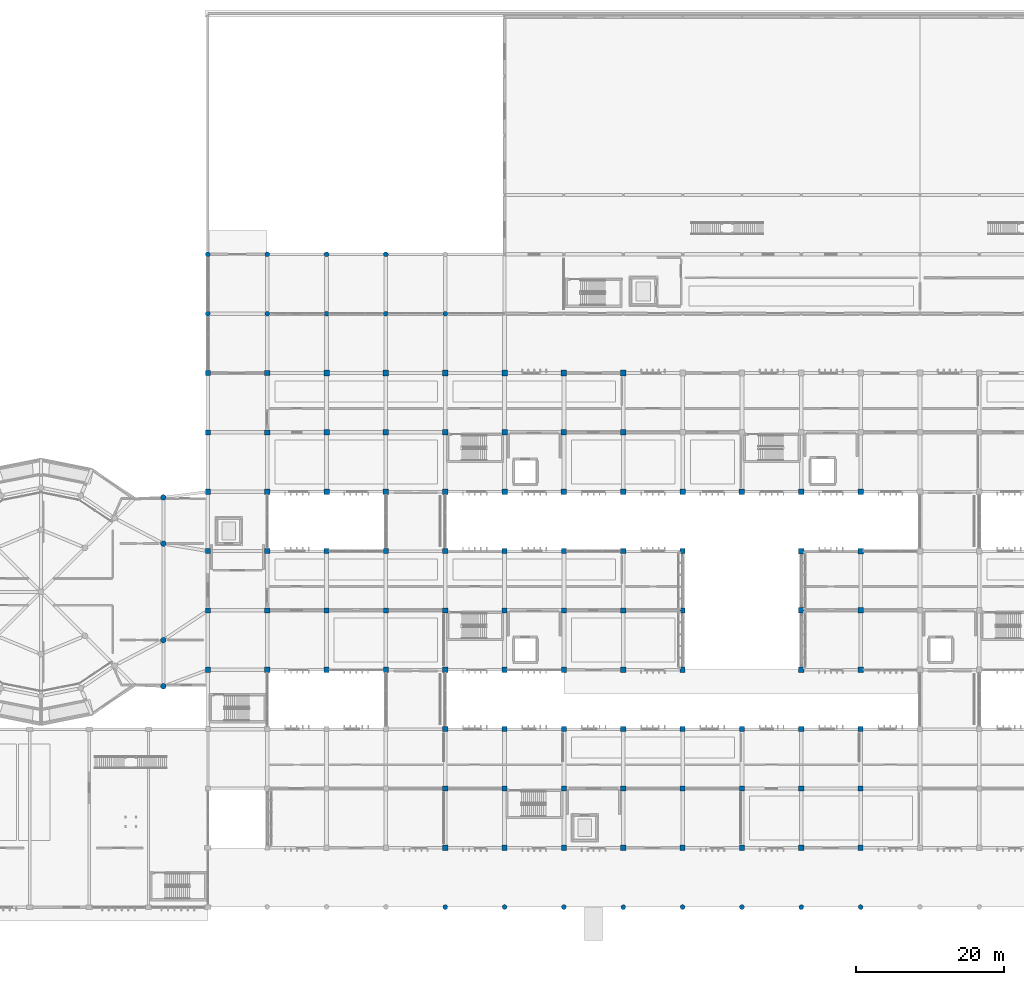
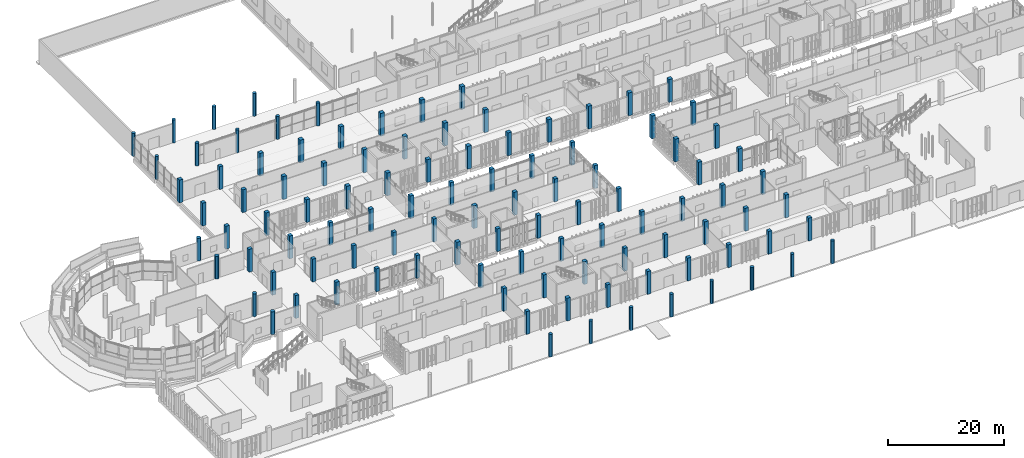
# One storey, part 6 of 117: 106 columns.
"""IFC4 building model written with IfcOpenShell, lengths in metres."""

from ifc_helpers import new_model, si_unit, direction, frame, origin, origin_2d, place, context, subcontext, project, spatial, rectangle, circle, extrude, material, material_profile, profile_set, type_object, element, save


model = new_model("IFC4")

# Units and contexts
model_context = context("Model", 3, precision=1e-05, world=origin(), true_north=direction((0.0, 1.0)))
body_context = subcontext(model_context, "Body", "Model", "MODEL_VIEW")
ifc_project = project(units=[si_unit("LENGTHUNIT", "METRE"), si_unit("AREAUNIT", "SQUARE_METRE"), si_unit("VOLUMEUNIT", "CUBIC_METRE"), si_unit("PLANEANGLEUNIT", "RADIAN"), si_unit("MASSUNIT", "GRAM", prefix="KILO")], contexts=[model_context])

# Site, building, storey
site_placement = place(None, origin())
site = spatial("IfcSite", under=ifc_project, at=site_placement, CompositionType="ELEMENT")
building_placement = place(site_placement, origin())
building = spatial("IfcBuilding", under=site, at=building_placement, Name="Jelvoka-Kovrelna Polytechnic", CompositionType="ELEMENT")
storey_placement = place(building_placement, origin())
storey = spatial("IfcBuildingStorey", under=building, at=storey_placement, Name="L01", CompositionType="ELEMENT", Elevation=0.0)

# Columns
ifc_material_1 = material(Name="Concrete C40/50", Category="concrete")
ifc_material_profile_1 = material_profile(ifc_material_1, circle(Radius=0.324951171875, at=origin_2d()), Name="RC D650")
ifc_profile_set_1 = profile_set([ifc_material_profile_1], Name="Concrete C40/50")
column_type_1 = type_object("IfcColumnType", Name="Col_Pilotis_D650", PredefinedType="PILASTER", material=ifc_profile_set_1)
for number, where, z_axis, x_axis, name in (
    (1, (80.0, 0.0, 0.0), (0.0, 0.0, 1.0), (1.0, 0.0, 0.0), "L01 column 0031"),
    (2, (88.0, 0.0, 0.0), (0.0, 0.0, 1.0), (1.0, 0.0, 0.0), "L01 column 0034"),
    (3, (96.0, 0.0, 0.0), (0.0, 0.0, 1.0), (1.0, 0.0, 0.0), "L01 column 0037"),
    (4, (104.0, 0.0, 0.0), (0.0, 0.0, 1.0), (1.0, 0.0, 0.0), "L01 column 0040"),
    (5, (112.0, 0.0, 0.0), (0.0, 0.0, 1.0), (1.0, 0.0, 0.0), "L01 column 0043"),
    (6, (120.0, 0.0, 0.0), (0.0, 0.0, 1.0), (1.0, 0.0, 0.0), "L01 column 0046"),
    (7, (128.0, 0.0, 0.0), (0.0, 0.0, 1.0), (1.0, 0.0, 0.0), "L01 column 0049"),
    (8, (136.0, 0.0, 0.0), (0.0, 0.0, 1.0), (1.0, 0.0, 0.0), "L01 column 0052"),
    (9, (48.0, 80.0, 0.0), (0.0, 0.0, 1.0), (1.0, 0.0, 0.0), "L01 column 1462"),
    (10, (56.0, 80.0, 0.0), (0.0, 0.0, 1.0), (1.0, 0.0, 0.0), "L01 column 1465"),
    (11, (64.0, 80.0, 0.0), (0.0, 0.0, 1.0), (1.0, 0.0, 0.0), "L01 column 1468"),
    (12, (72.0, 80.0, 0.0), (0.0, 0.0, 1.0), (1.0, 0.0, 0.0), "L01 column 1471"),
    (13, (80.0, 80.0, 0.0), (0.0, 0.0, 1.0), (1.0, 0.0, 0.0), "L01 column 1474"),
    (14, (48.0, 88.0, 0.0), (0.0, 0.0, 1.0), (1.0, 0.0, 0.0), "L01 column 1522"),
    (15, (56.0, 88.0, 0.0), (0.0, 0.0, 1.0), (1.0, 0.0, 0.0), "L01 column 1524"),
    (16, (64.0, 88.0, 0.0), (0.0, 0.0, 1.0), (1.0, 0.0, 0.0), "L01 column 1526"),
    (17, (72.0, 88.0, 0.0), (0.0, 0.0, 1.0), (1.0, 0.0, 0.0), "L01 column 1528"),
):
    element("IfcColumn", number, at=place(storey_placement, frame(where, z_axis=z_axis, x_axis=x_axis)), inside=storey, type_object=column_type_1, Name=name, PredefinedType="PILASTER", context=body_context, shape_type="SweptSolid", body=[
        extrude(circle(Radius=0.324951171875, at=origin_2d()), origin(), (0.0, 0.0, 1.0), 4.800048828125),
    ])
ifc_material_2 = material(Name="Concrete C40/50", Category="concrete")
ifc_material_profile_2 = material_profile(ifc_material_2, rectangle(XDim=0.699951171875, YDim=0.699951171875, at=origin_2d()), Name="RC 700x700")
ifc_profile_set_2 = profile_set([ifc_material_profile_2], Name="Concrete C40/50")
column_type_2 = type_object("IfcColumnType", Name="Col_RC_700", PredefinedType="COLUMN", material=ifc_profile_set_2)
for number, where, z_axis, x_axis, name in (
    (18, (80.0, 8.0, 0.0), (0.0, 0.0, 1.0), (1.0, 0.0, 0.0), "L01 column 0110"),
    (19, (88.0, 8.0, 0.0), (0.0, 0.0, 1.0), (1.0, 0.0, 0.0), "L01 column 0116"),
    (20, (96.0, 8.0, 0.0), (0.0, 0.0, 1.0), (1.0, 0.0, 0.0), "L01 column 0122"),
    (21, (104.0, 8.0, 0.0), (0.0, 0.0, 1.0), (1.0, 0.0, 0.0), "L01 column 0128"),
    (22, (112.0, 8.0, 0.0), (0.0, 0.0, 1.0), (1.0, 0.0, 0.0), "L01 column 0134"),
    (23, (120.0, 8.0, 0.0), (0.0, 0.0, 1.0), (1.0, 0.0, 0.0), "L01 column 0140"),
    (24, (128.0, 8.0, 0.0), (0.0, 0.0, 1.0), (1.0, 0.0, 0.0), "L01 column 0146"),
    (25, (136.0, 8.0, 0.0), (0.0, 0.0, 1.0), (1.0, 0.0, 0.0), "L01 column 0152"),
    (26, (80.0, 16.0, 0.0), (0.0, 0.0, 1.0), (1.0, 0.0, 0.0), "L01 column 0211"),
    (27, (88.0, 16.0, 0.0), (0.0, 0.0, 1.0), (1.0, 0.0, 0.0), "L01 column 0217"),
    (28, (96.0, 16.0, 0.0), (0.0, 0.0, 1.0), (1.0, 0.0, 0.0), "L01 column 0223"),
    (29, (104.0, 16.0, 0.0), (0.0, 0.0, 1.0), (1.0, 0.0, 0.0), "L01 column 0229"),
    (30, (112.0, 16.0, 0.0), (0.0, 0.0, 1.0), (1.0, 0.0, 0.0), "L01 column 0235"),
    (31, (120.0, 16.0, 0.0), (0.0, 0.0, 1.0), (1.0, 0.0, 0.0), "L01 column 0241"),
    (32, (128.0, 16.0, 0.0), (0.0, 0.0, 1.0), (1.0, 0.0, 0.0), "L01 column 0247"),
    (33, (136.0, 16.0, 0.0), (0.0, 0.0, 1.0), (1.0, 0.0, 0.0), "L01 column 0253"),
    (34, (80.0, 24.0, 0.0), (0.0, 0.0, 1.0), (1.0, 0.0, 0.0), "L01 column 0336"),
    (35, (88.0, 24.0, 0.0), (0.0, 0.0, 1.0), (1.0, 0.0, 0.0), "L01 column 0342"),
    (36, (96.0, 24.0, 0.0), (0.0, 0.0, 1.0), (1.0, 0.0, 0.0), "L01 column 0348"),
    (37, (104.0, 24.0, 0.0), (0.0, 0.0, 1.0), (1.0, 0.0, 0.0), "L01 column 0354"),
    (38, (112.0, 24.0, 0.0), (0.0, 0.0, 1.0), (1.0, 0.0, 0.0), "L01 column 0360"),
    (39, (120.0, 24.0, 0.0), (0.0, 0.0, 1.0), (1.0, 0.0, 0.0), "L01 column 0366"),
    (40, (128.0, 24.0, 0.0), (0.0, 0.0, 1.0), (1.0, 0.0, 0.0), "L01 column 0372"),
    (41, (136.0, 24.0, 0.0), (0.0, 0.0, 1.0), (1.0, 0.0, 0.0), "L01 column 0378"),
    (42, (48.0, 32.0, 0.0), (0.0, 0.0, 1.0), (1.0, 0.0, 0.0), "L01 column 0433"),
    (43, (56.0, 32.0, 0.0), (0.0, 0.0, 1.0), (1.0, 0.0, 0.0), "L01 column 0439"),
    (44, (64.0, 32.0, 0.0), (0.0, 0.0, 1.0), (1.0, 0.0, 0.0), "L01 column 0445"),
    (45, (72.0, 32.0, 0.0), (0.0, 0.0, 1.0), (1.0, 0.0, 0.0), "L01 column 0452"),
    (46, (80.0, 32.0, 0.0), (0.0, 0.0, 1.0), (1.0, 0.0, 0.0), "L01 column 0459"),
    (47, (88.0, 32.0, 0.0), (0.0, 0.0, 1.0), (1.0, 0.0, 0.0), "L01 column 0466"),
    (48, (96.0, 32.0, 0.0), (0.0, 0.0, 1.0), (1.0, 0.0, 0.0), "L01 column 0473"),
    (49, (104.0, 32.0, 0.0), (0.0, 0.0, 1.0), (1.0, 0.0, 0.0), "L01 column 0480"),
    (50, (112.0, 32.0, 0.0), (0.0, 0.0, 1.0), (1.0, 0.0, 0.0), "L01 column 0487"),
    (51, (48.0, 40.0, 0.0), (0.0, 0.0, 1.0), (1.0, 0.0, 0.0), "L01 column 0615"),
    (52, (56.0, 40.0, 0.0), (0.0, 0.0, 1.0), (1.0, 0.0, 0.0), "L01 column 0621"),
    (53, (64.0, 40.0, 0.0), (0.0, 0.0, 1.0), (1.0, 0.0, 0.0), "L01 column 0627"),
    (54, (72.0, 40.0, 0.0), (0.0, 0.0, 1.0), (1.0, 0.0, 0.0), "L01 column 0634"),
    (55, (80.0, 40.0, 0.0), (0.0, 0.0, 1.0), (1.0, 0.0, 0.0), "L01 column 0641"),
    (56, (88.0, 40.0, 0.0), (0.0, 0.0, 1.0), (1.0, 0.0, 0.0), "L01 column 0648"),
    (57, (96.0, 40.0, 0.0), (0.0, 0.0, 1.0), (1.0, 0.0, 0.0), "L01 column 0655"),
    (58, (104.0, 40.0, 0.0), (0.0, 0.0, 1.0), (1.0, 0.0, 0.0), "L01 column 0662"),
    (59, (112.0, 40.0, 0.0), (0.0, 0.0, 1.0), (1.0, 0.0, 0.0), "L01 column 0669"),
    (60, (48.0, 48.0, 0.0), (0.0, 0.0, 1.0), (1.0, 0.0, 0.0), "L01 column 0779"),
    (61, (56.0, 48.0, 0.0), (0.0, 0.0, 1.0), (1.0, 0.0, 0.0), "L01 column 0785"),
    (62, (64.0, 48.0, 0.0), (0.0, 0.0, 1.0), (1.0, 0.0, 0.0), "L01 column 0791"),
    (63, (72.0, 48.0, 0.0), (0.0, 0.0, 1.0), (1.0, 0.0, 0.0), "L01 column 0798"),
    (64, (80.0, 48.0, 0.0), (0.0, 0.0, 1.0), (1.0, 0.0, 0.0), "L01 column 0805"),
    (65, (88.0, 48.0, 0.0), (0.0, 0.0, 1.0), (1.0, 0.0, 0.0), "L01 column 0812"),
    (66, (96.0, 48.0, 0.0), (0.0, 0.0, 1.0), (1.0, 0.0, 0.0), "L01 column 0819"),
    (67, (104.0, 48.0, 0.0), (0.0, 0.0, 1.0), (1.0, 0.0, 0.0), "L01 column 0826"),
    (68, (112.0, 48.0, 0.0), (0.0, 0.0, 1.0), (1.0, 0.0, 0.0), "L01 column 0833"),
    (69, (48.0, 56.0, 0.0), (0.0, 0.0, 1.0), (1.0, 0.0, 0.0), "L01 column 0973"),
    (70, (56.0, 56.0, 0.0), (0.0, 0.0, 1.0), (1.0, 0.0, 0.0), "L01 column 0979"),
    (71, (48.0, 64.0, 0.0), (0.0, 0.0, 1.0), (1.0, 0.0, 0.0), "L01 column 1140"),
    (72, (56.0, 64.0, 0.0), (0.0, 0.0, 1.0), (1.0, 0.0, 0.0), "L01 column 1146"),
    (73, (48.0, 72.0, 0.0), (0.0, 0.0, 1.0), (1.0, 0.0, 0.0), "L01 column 1301"),
    (74, (56.0, 72.0, 0.0), (0.0, 0.0, 1.0), (1.0, 0.0, 0.0), "L01 column 1307"),
):
    element("IfcColumn", number, at=place(storey_placement, frame(where, z_axis=z_axis, x_axis=x_axis)), inside=storey, type_object=column_type_2, Name=name, PredefinedType="COLUMN", context=body_context, shape_type="SweptSolid", body=[
        extrude(rectangle(XDim=0.699951171875, YDim=0.699951171875, at=origin_2d()), origin(), (0.0, 0.0, 1.0), 4.800048828125),
    ])
ifc_material_3 = material(Name="Concrete C40/50", Category="concrete")
ifc_material_profile_3 = material_profile(ifc_material_3, rectangle(XDim=0.75, YDim=0.75, at=origin_2d()), Name="RC 750x750")
ifc_profile_set_3 = profile_set([ifc_material_profile_3], Name="Concrete C40/50")
column_type_3 = type_object("IfcColumnType", Name="Col_RC_750", PredefinedType="COLUMN", material=ifc_profile_set_3)
for number, where, z_axis, x_axis, name in (
    (75, (128.0, 32.0, 0.0), (0.0, 0.0, 1.0), (1.0, 0.0, 0.0), "L01 column 0495"),
    (76, (136.0, 32.0, 0.0), (0.0, 0.0, 1.0), (1.0, 0.0, 0.0), "L01 column 0503"),
    (77, (128.0, 40.0, 0.0), (0.0, 0.0, 1.0), (1.0, 0.0, 0.0), "L01 column 0677"),
    (78, (136.0, 40.0, 0.0), (0.0, 0.0, 1.0), (1.0, 0.0, 0.0), "L01 column 0685"),
    (79, (128.0, 48.0, 0.0), (0.0, 0.0, 1.0), (1.0, 0.0, 0.0), "L01 column 0841"),
    (80, (136.0, 48.0, 0.0), (0.0, 0.0, 1.0), (1.0, 0.0, 0.0), "L01 column 0849"),
    (81, (64.0, 56.0, 0.0), (0.0, 0.0, 1.0), (1.0, 0.0, 0.0), "L01 column 0985"),
    (82, (72.0, 56.0, 0.0), (0.0, 0.0, 1.0), (1.0, 0.0, 0.0), "L01 column 0993"),
    (83, (80.0, 56.0, 0.0), (0.0, 0.0, 1.0), (1.0, 0.0, 0.0), "L01 column 1002"),
    (84, (88.0, 56.0, 0.0), (0.0, 0.0, 1.0), (1.0, 0.0, 0.0), "L01 column 1011"),
    (85, (96.0, 56.0, 0.0), (0.0, 0.0, 1.0), (1.0, 0.0, 0.0), "L01 column 1020"),
    (86, (104.0, 56.0, 0.0), (0.0, 0.0, 1.0), (1.0, 0.0, 0.0), "L01 column 1029"),
    (87, (112.0, 56.0, 0.0), (0.0, 0.0, 1.0), (1.0, 0.0, 0.0), "L01 column 1038"),
    (88, (120.0, 56.0, 0.0), (0.0, 0.0, 1.0), (1.0, 0.0, 0.0), "L01 column 1047"),
    (89, (128.0, 56.0, 0.0), (0.0, 0.0, 1.0), (1.0, 0.0, 0.0), "L01 column 1056"),
    (90, (136.0, 56.0, 0.0), (0.0, 0.0, 1.0), (1.0, 0.0, 0.0), "L01 column 1065"),
    (91, (64.0, 64.0, 0.0), (0.0, 0.0, 1.0), (1.0, 0.0, 0.0), "L01 column 1152"),
    (92, (72.0, 64.0, 0.0), (0.0, 0.0, 1.0), (1.0, 0.0, 0.0), "L01 column 1160"),
    (93, (80.0, 64.0, 0.0), (0.0, 0.0, 1.0), (1.0, 0.0, 0.0), "L01 column 1169"),
    (94, (88.0, 64.0, 0.0), (0.0, 0.0, 1.0), (1.0, 0.0, 0.0), "L01 column 1178"),
    (95, (96.0, 64.0, 0.0), (0.0, 0.0, 1.0), (1.0, 0.0, 0.0), "L01 column 1187"),
    (96, (104.0, 64.0, 0.0), (0.0, 0.0, 1.0), (1.0, 0.0, 0.0), "L01 column 1196"),
    (97, (64.0, 72.0, 0.0), (0.0, 0.0, 1.0), (1.0, 0.0, 0.0), "L01 column 1313"),
    (98, (72.0, 72.0, 0.0), (0.0, 0.0, 1.0), (1.0, 0.0, 0.0), "L01 column 1321"),
    (99, (80.0, 72.0, 0.0), (0.0, 0.0, 1.0), (1.0, 0.0, 0.0), "L01 column 1330"),
    (100, (88.0, 72.0, 0.0), (0.0, 0.0, 1.0), (1.0, 0.0, 0.0), "L01 column 1339"),
    (101, (96.0, 72.0, 0.0), (0.0, 0.0, 1.0), (1.0, 0.0, 0.0), "L01 column 1348"),
    (102, (104.0, 72.0, 0.0), (0.0, 0.0, 1.0), (1.0, 0.0, 0.0), "L01 column 1357"),
):
    element("IfcColumn", number, at=place(storey_placement, frame(where, z_axis=z_axis, x_axis=x_axis)), inside=storey, type_object=column_type_3, Name=name, PredefinedType="COLUMN", context=body_context, shape_type="SweptSolid", body=[
        extrude(rectangle(XDim=0.75, YDim=0.75, at=origin_2d()), origin(), (0.0, 0.0, 1.0), 4.800048828125),
    ])
ifc_material_4 = material(Name="Concrete C40/50", Category="concrete")
ifc_material_profile_4 = material_profile(ifc_material_4, circle(Radius=0.375, at=origin_2d()), Name="RC D750")
ifc_profile_set_4 = profile_set([ifc_material_profile_4], Name="Concrete C40/50")
column_type_4 = type_object("IfcColumnType", Name="Col_RC_D750", PredefinedType="COLUMN", material=ifc_profile_set_4)
for number, where, z_axis, x_axis, name in (
    (103, (42.0, 29.772216796875, 0.0), (0.0, 0.0, 1.0), (1.0, 0.0, 0.0), "L01 column 0427"),
    (104, (42.0, 36.0, 0.0), (0.0, 0.0, 1.0), (1.0, 0.0, 0.0), "L01 column 0591"),
    (105, (42.0, 49.0, 0.0), (0.0, 0.0, 1.0), (1.0, 0.0, 0.0), "L01 column 0931"),
    (106, (42.0, 55.227783203125, 0.0), (0.0, 0.0, 1.0), (1.0, 0.0, 0.0), "L01 column 0955"),
):
    element("IfcColumn", number, at=place(storey_placement, frame(where, z_axis=z_axis, x_axis=x_axis)), inside=storey, type_object=column_type_4, Name=name, PredefinedType="COLUMN", context=body_context, shape_type="SweptSolid", body=[
        extrude(circle(Radius=0.375, at=origin_2d()), origin(), (0.0, 0.0, 1.0), 4.800048828125),
    ])

save(model, "model.ifc")
